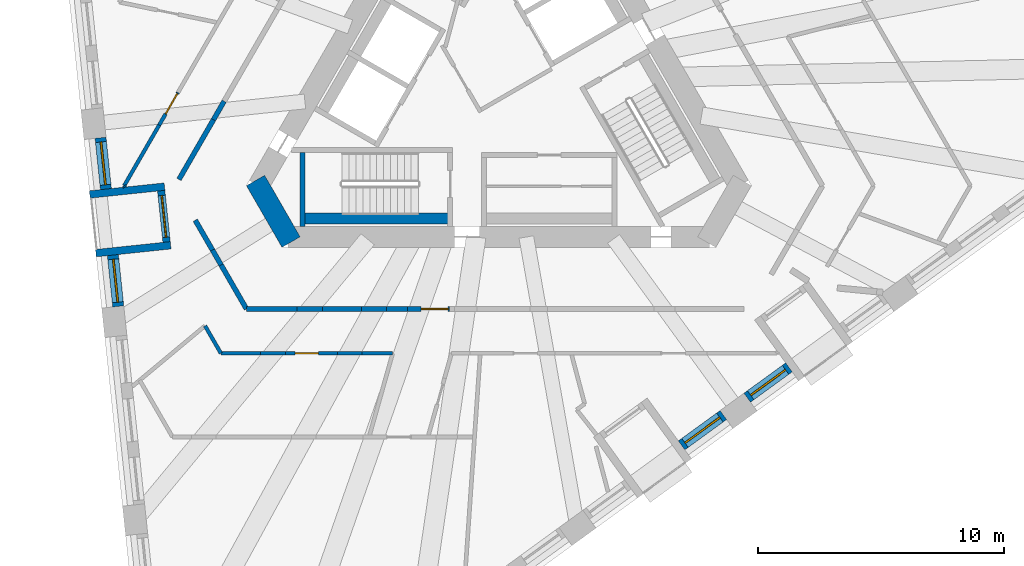
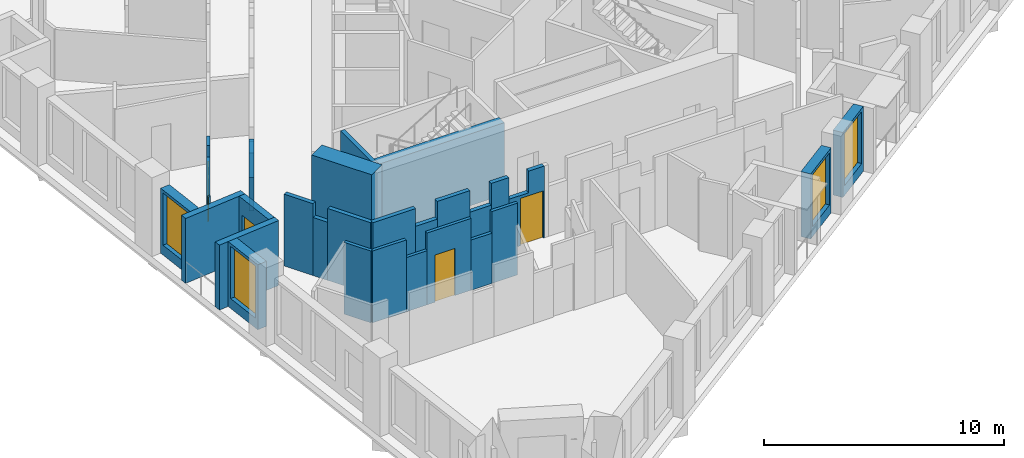
# One storey, part 3 of 14: 30 walls, 4 doors, 4 windows, 8 openings.
"""IFC4 building model written with IfcOpenShell, lengths in metres."""

from ifc_helpers import new_model, si_unit, direction, frame, frame_2d, origin, place, context, subcontext, project, spatial, polyline, rectangle, outline, extrude, material, layer, layer_set, type_object, element, fill, save


model = new_model("IFC4")

# Units and contexts
model_context = context("Model", 3, precision=1e-05, world=origin(), true_north=direction((0.0, 1.0)))
body_context = subcontext(model_context, "Body", "Model", "MODEL_VIEW")
ifc_project = project(units=[si_unit("LENGTHUNIT", "METRE"), si_unit("AREAUNIT", "SQUARE_METRE"), si_unit("VOLUMEUNIT", "CUBIC_METRE"), si_unit("PLANEANGLEUNIT", "RADIAN"), si_unit("MASSUNIT", "GRAM", prefix="KILO")], contexts=[model_context])

# Site, building, storey
site_placement = place(None, origin())
site = spatial("IfcSite", under=ifc_project, at=site_placement, CompositionType="ELEMENT")
building_placement = place(site_placement, origin())
building = spatial("IfcBuilding", under=site, at=building_placement, Name="Tramontana Tower", CompositionType="ELEMENT")
storey_placement = place(building_placement, frame((0.0, 0.0, 190.800048828125)))
storey = spatial("IfcBuildingStorey", under=building, at=storey_placement, Name="L44", CompositionType="ELEMENT", Elevation=190.800048828125)

# Wall
ifc_material_1 = material(Name="Concrete 70 MPa", Category="concrete")
ifc_layer_1 = layer(ifc_material_1, 0.85009765625)
ifc_layer_set_1 = layer_set([ifc_layer_1], Name="Core wall 850 70 MPa")
wall_type_1 = type_object("IfcWallType", Name="Core wall 850 70 MPa", PredefinedType="SHEAR", material=ifc_layer_set_1)
wall_1_placement = place(storey_placement, frame((-9.8798828125, -4.03759765625, 0.0), z_axis=(0.0, 0.0, 1.0), x_axis=(0.499995765644, -0.866027848477, 0.0)))
element("IfcWall", 1, at=wall_1_placement, inside=storey, type_object=wall_type_1, Name="Core wall C2 L44", PredefinedType="SHEAR", context=body_context, shape_type="SweptSolid", body=[
    extrude(rectangle(XDim=2.88671875, YDim=0.85009765625, at=frame_2d((1.443359375, 0.0))), origin(), (0.0, 0.0, 1.0), 4.0),
])

# Wall, opening, door
ifc_material_2 = material(Name="Blockwork", Category="masonry")
ifc_layer_2 = layer(ifc_material_2, 0.199951171875)
ifc_layer_set_2 = layer_set([ifc_layer_2], Name="ENTRY WALL 200")
wall_type_2 = type_object("IfcWallType", Name="ENTRY WALL 200", PredefinedType="SOLIDWALL", material=ifc_layer_set_2)
wall_2_placement = place(storey_placement, frame((-3.713134765625, -9.25, 0.0), z_axis=(0.0, 0.0, 1.0), x_axis=(1.0, 0.0, 0.0)))
wall_2 = element("IfcWall", 2, at=wall_2_placement, inside=storey, type_object=wall_type_2, Name="Wall v42-ew2-7", PredefinedType="SOLIDWALL", context=body_context, shape_type="SweptSolid", body=[
    extrude(outline(polyline([(0.0, 0.0), (1.7041015625, 0.0), (1.7041015625, 3.64990234375), (0.95361328125, 3.64990234375), (0.95361328125, 2.550048828125), (0.0, 2.550048828125), (0.0, 0.0)])), frame((0.0, 0.10009765625, 0.0), z_axis=(0.0, -1.0, 0.0), x_axis=(1.0, 0.0, 0.0)), (0.0, 0.0, 1.0), 0.199951171875),
])
opening_1_placement = place(wall_2_placement, frame((0.55419921875, 0.0, 0.0)))
opening_1 = element("IfcOpeningElement", 3, at=opening_1_placement, cuts=wall_2, Name="Opening B4C-20", PredefinedType="OPENING", context=body_context, shape_type="SweptSolid", body=[
    extrude(rectangle(XDim=1.10009765625, YDim=2.39990234375, at=frame_2d((0.550048828125, 1.199951171875))), frame((0.0, 0.10986328125, 0.0), z_axis=(0.0, -1.0, 0.0), x_axis=(1.0, 0.0, 0.0)), (0.0, 0.0, 1.0), 0.219970703125),
])
ifc_material_3 = material(Name="Painted timber", Category="wood")
door_type_1 = type_object("IfcDoorType", Name="DOOR ENTRY 1100", OperationType="SINGLE_SWING_LEFT", PredefinedType="DOOR", material=ifc_material_3)
door_1_placement = place(opening_1_placement, origin())
door_1 = element("IfcDoor", 4, at=door_1_placement, inside=storey, type_object=door_type_1, Name="Door B4C-20", OperationType="SINGLE_SWING_RIGHT", OverallHeight=2.39990234375, OverallWidth=1.10009765625, PredefinedType="DOOR", context=body_context, shape_type="SweptSolid", body=[
    extrude(rectangle(XDim=1.10009765625, YDim=2.39990234375, at=frame_2d((0.550048828125, 1.199951171875))), frame((0.0, 0.02490234375, 0.0), z_axis=(0.0, -1.0, 0.0), x_axis=(1.0, 0.0, 0.0)), (0.0, 0.0, 1.0), 0.050048828125),
])
fill(opening_1, door_1)

# Walls
wall_3_placement = place(storey_placement, frame((-3.713134765625, -9.25, 0.0), z_axis=(0.0, 0.0, 1.0), x_axis=(-1.0, 0.0, 0.0)))
element("IfcWall", 5, at=wall_3_placement, inside=storey, type_object=wall_type_2, Name="Wall v42-ew2-8", PredefinedType="SOLIDWALL", context=body_context, shape_type="SweptSolid", body=[
    extrude(rectangle(XDim=0.84130859375, YDim=0.199951171875, at=frame_2d((0.420654296875, 0.0))), origin(), (0.0, 0.0, 1.0), 3.64990234375),
])
wall_4_placement = place(storey_placement, frame((-4.554443359375, -9.25, 0.0), z_axis=(0.0, 0.0, 1.0), x_axis=(-1.0, 0.0, 0.0)))
element("IfcWall", 6, at=wall_4_placement, inside=storey, type_object=wall_type_2, Name="Wall v42-ew2-9", PredefinedType="SOLIDWALL", context=body_context, shape_type="SweptSolid", body=[
    extrude(rectangle(XDim=1.026123046875, YDim=0.199951171875, at=frame_2d((0.51318359375, 0.0))), origin(), (0.0, 0.0, 1.0), 2.550048828125),
])
wall_5_placement = place(storey_placement, frame((-5.58056640625, -9.25, 0.0), z_axis=(0.0, 0.0, 1.0), x_axis=(-1.0, 0.0, 0.0)))
element("IfcWall", 7, at=wall_5_placement, inside=storey, type_object=wall_type_2, Name="Wall v42-ew2-10", PredefinedType="SOLIDWALL", context=body_context, shape_type="SweptSolid", body=[
    extrude(rectangle(XDim=1.57177734375, YDim=0.199951171875, at=frame_2d((0.785888671875, 0.0))), origin(), (0.0, 0.0, 1.0), 3.64990234375),
])
wall_6_placement = place(storey_placement, frame((-7.15234375, -9.25, 0.0), z_axis=(0.0, 0.0, 1.0), x_axis=(-1.0, 0.0, 0.0)))
element("IfcWall", 8, at=wall_6_placement, inside=storey, type_object=wall_type_2, Name="Wall v42-ew2-11", PredefinedType="SOLIDWALL", context=body_context, shape_type="SweptSolid", body=[
    extrude(rectangle(XDim=1.039306640625, YDim=0.199951171875, at=frame_2d((0.51953125, 0.0))), origin(), (0.0, 0.0, 1.0), 2.75),
])
wall_7_placement = place(storey_placement, frame((-8.191650390625, -9.25, 0.0), z_axis=(0.0, 0.0, 1.0), x_axis=(-1.0, 0.0, 0.0)))
element("IfcWall", 9, at=wall_7_placement, inside=storey, type_object=wall_type_2, Name="Wall v42-ew2-12", PredefinedType="SOLIDWALL", context=body_context, shape_type="SweptSolid", body=[
    extrude(rectangle(XDim=2.056396484375, YDim=0.199951171875, at=frame_2d((1.0283203125, 0.0))), origin(), (0.0, 0.0, 1.0), 3.64990234375),
])
wall_8_placement = place(storey_placement, frame((-10.248046875, -9.25, 0.0), z_axis=(0.0, 0.0, 1.0), x_axis=(-0.499941542975, 0.866059151333, 0.0)))
element("IfcWall", 10, at=wall_8_placement, inside=storey, type_object=wall_type_2, Name="Wall v42-ew3-0", PredefinedType="SOLIDWALL", context=body_context, shape_type="SweptSolid", body=[
    extrude(rectangle(XDim=2.057861328125, YDim=0.199951171875, at=frame_2d((1.02880859375, 0.0))), origin(), (0.0, 0.0, 1.0), 3.64990234375),
])
wall_9_placement = place(storey_placement, frame((-11.27685546875, -7.4677734375, 0.0), z_axis=(0.0, 0.0, 1.0), x_axis=(-0.50022532796, 0.865895271535, 0.0)))
element("IfcWall", 11, at=wall_9_placement, inside=storey, type_object=wall_type_2, Name="Wall v42-ew3-1", PredefinedType="SOLIDWALL", context=body_context, shape_type="SweptSolid", body=[
    extrude(rectangle(XDim=0.700439453125, YDim=0.199951171875, at=frame_2d((0.35009765625, 0.0))), origin(), (0.0, 0.0, 1.0), 2.949951171875),
])
wall_10_placement = place(storey_placement, frame((-11.627197265625, -6.861328125, 0.0), z_axis=(0.0, 0.0, 1.0), x_axis=(-0.49998411664, 0.866034573852, 0.0)))
element("IfcWall", 12, at=wall_10_placement, inside=storey, type_object=wall_type_2, Name="Wall v42-ew3-2", PredefinedType="SOLIDWALL", context=body_context, shape_type="SweptSolid", body=[
    extrude(rectangle(XDim=1.39990234375, YDim=0.199951171875, at=frame_2d((0.699951171875, 0.0))), origin(), (0.0, 0.0, 1.0), 3.64990234375),
])
wall_11_placement = place(storey_placement, frame((-12.986572265625, -3.993408203125, 0.0), z_axis=(0.0, 0.0, 1.0), x_axis=(0.499976698542, 0.86603885647, 0.0)))
element("IfcWall", 13, at=wall_11_placement, inside=storey, type_object=wall_type_2, Name="Wall v42-ew4-0", PredefinedType="SOLIDWALL", context=body_context, shape_type="SweptSolid", body=[
    extrude(rectangle(XDim=2.798583984375, YDim=0.199951171875, at=frame_2d((1.3994140625, 0.0))), origin(), (0.0, 0.0, 1.0), 3.64990234375),
])
wall_12_placement = place(storey_placement, frame((-11.58740234375, -1.56982421875, 0.0), z_axis=(0.0, 0.0, 1.0), x_axis=(0.500023708017, 0.866011715522, 0.0)))
element("IfcWall", 14, at=wall_12_placement, inside=storey, type_object=wall_type_2, Name="Wall v42-ew4-1", PredefinedType="SOLIDWALL", context=body_context, shape_type="SweptSolid", body=[
    extrude(rectangle(XDim=0.865234375, YDim=0.199951171875, at=frame_2d((0.4326171875, 0.0))), origin(), (0.0, 0.0, 1.0), 2.949951171875),
])

# Wall, opening, window
ifc_material_4 = material(Name="Precast concrete 60 MPa", Category="concrete")
ifc_layer_3 = layer(ifc_material_4, 0.449951171875)
ifc_layer_set_3 = layer_set([ifc_layer_3], Name="Precast concrete 60 MPa, 450 mm")
wall_type_3 = type_object("IfcWallType", Name="EW1 Stone-faced precast wall 450", PredefinedType="SOLIDWALL", material=ifc_layer_set_3)
wall_13_placement = place(storey_placement, frame((-16.1728515625, -2.30322265625, 0.0), z_axis=(0.0, 0.0, 1.0), x_axis=(0.104569484464, -0.994517583011, 0.0)))
wall_13 = element("IfcWall", 15, at=wall_13_placement, inside=storey, type_object=wall_type_3, Name="External wall L44 face 0 bay 4", PredefinedType="SOLIDWALL", context=body_context, shape_type="SweptSolid", body=[
    extrude(rectangle(XDim=2.09423828125, YDim=0.449951171875, at=frame_2d((1.047119140625, 0.0))), origin(), (0.0, 0.0, 1.0), 3.300048828125),
])
opening_2_placement = place(wall_13_placement, frame((0.172119140625, 0.0, 0.5)))
opening_2 = element("IfcOpeningElement", 16, at=opening_2_placement, cuts=wall_13, Name="Opening M2", PredefinedType="OPENING", context=body_context, shape_type="SweptSolid", body=[
    extrude(rectangle(XDim=1.75, YDim=2.64990234375, at=frame_2d((0.875, 1.324951171875))), frame((0.0, 0.23486328125, 0.0), z_axis=(0.0, -1.0, 0.0), x_axis=(1.0, 0.0, 0.0)), (0.0, 0.0, 1.0), 0.469970703125),
])
ifc_material_5 = material(Name="Aluminum frame, double glazing unit", Category="aluminium")
window_type = type_object("IfcWindowType", Name="M2 Window 1.75 x 2.65", PartitioningType="SINGLE_PANEL", PredefinedType="WINDOW", material=ifc_material_5)
window_1_placement = place(opening_2_placement, origin())
window_1 = element("IfcWindow", 17, at=window_1_placement, inside=storey, type_object=window_type, Name="Window M2 L44 face 0 module 10", OverallHeight=2.64990234375, OverallWidth=1.75, PartitioningType="SINGLE_PANEL", PredefinedType="WINDOW", context=body_context, shape_type="SweptSolid", body=[
    extrude(rectangle(XDim=1.75, YDim=2.64990234375, at=frame_2d((0.875, 1.324951171875))), frame((0.0, 0.030029296875, 0.0), z_axis=(0.0, -1.0, 0.0), x_axis=(1.0, 0.0, 0.0)), (0.0, 0.0, 1.0), 0.06005859375),
])
fill(opening_2, window_1)

wall_14_placement = place(storey_placement, frame((-15.67236328125, -7.0654296875, 0.0), z_axis=(0.0, 0.0, 1.0), x_axis=(0.104557362307, -0.994518857532, 0.0)))
wall_14 = element("IfcWall", 18, at=wall_14_placement, inside=storey, type_object=wall_type_3, Name="External wall L44 face 0 bay 4", PredefinedType="SOLIDWALL", context=body_context, shape_type="SweptSolid", body=[
    extrude(rectangle(XDim=2.094482421875, YDim=0.449951171875, at=frame_2d((1.04736328125, 0.0))), origin(), (0.0, 0.0, 1.0), 3.300048828125),
])
opening_3_placement = place(wall_14_placement, frame((0.172119140625, 0.0, 0.5)))
opening_3 = element("IfcOpeningElement", 19, at=opening_3_placement, cuts=wall_14, Name="Opening M2", PredefinedType="OPENING", context=body_context, shape_type="SweptSolid", body=[
    extrude(rectangle(XDim=1.75, YDim=2.64990234375, at=frame_2d((0.875, 1.324951171875))), frame((0.0, 0.23486328125, 0.0), z_axis=(0.0, -1.0, 0.0), x_axis=(1.0, 0.0, 0.0)), (0.0, 0.0, 1.0), 0.469970703125),
])
window_2_placement = place(opening_3_placement, origin())
window_2 = element("IfcWindow", 20, at=window_2_placement, inside=storey, type_object=window_type, Name="Window M2 L44 face 0 module 12", OverallHeight=2.64990234375, OverallWidth=1.75, PartitioningType="SINGLE_PANEL", PredefinedType="WINDOW", context=body_context, shape_type="SweptSolid", body=[
    extrude(rectangle(XDim=1.75, YDim=2.64990234375, at=frame_2d((0.875, 1.324951171875))), frame((0.0, 0.030029296875, 0.0), z_axis=(0.0, -1.0, 0.0), x_axis=(1.0, 0.0, 0.0)), (0.0, 0.0, 1.0), 0.06005859375),
])
fill(opening_3, window_2)

wall_15_placement = place(storey_placement, frame((7.415771484375, -14.790771484375, 0.0), z_axis=(0.0, 0.0, 1.0), x_axis=(0.809028366311, 0.587769599847, 0.0)))
wall_15 = element("IfcWall", 21, at=wall_15_placement, inside=storey, type_object=wall_type_3, Name="External wall L44 face 1 bay 3", PredefinedType="SOLIDWALL", context=body_context, shape_type="SweptSolid", body=[
    extrude(rectangle(XDim=2.09423828125, YDim=0.449951171875, at=frame_2d((1.047119140625, 0.0))), origin(), (0.0, 0.0, 1.0), 3.300048828125),
])
opening_4_placement = place(wall_15_placement, frame((0.172119140625, 0.0, 0.5)))
opening_4 = element("IfcOpeningElement", 22, at=opening_4_placement, cuts=wall_15, Name="Opening M2", PredefinedType="OPENING", context=body_context, shape_type="SweptSolid", body=[
    extrude(rectangle(XDim=1.75, YDim=2.64990234375, at=frame_2d((0.875, 1.324951171875))), frame((0.0, 0.23486328125, 0.0), z_axis=(0.0, -1.0, 0.0), x_axis=(1.0, 0.0, 0.0)), (0.0, 0.0, 1.0), 0.469970703125),
])
window_3_placement = place(opening_4_placement, origin())
window_3 = element("IfcWindow", 23, at=window_3_placement, inside=storey, type_object=window_type, Name="Window M2 L44 face 1 module 9", OverallHeight=2.64990234375, OverallWidth=1.75, PartitioningType="SINGLE_PANEL", PredefinedType="WINDOW", context=body_context, shape_type="SweptSolid", body=[
    extrude(rectangle(XDim=1.75, YDim=2.64990234375, at=frame_2d((0.875, 1.324951171875))), frame((0.0, 0.030029296875, 0.0), z_axis=(0.0, -1.0, 0.0), x_axis=(1.0, 0.0, 0.0)), (0.0, 0.0, 1.0), 0.06005859375),
])
fill(opening_4, window_3)

wall_16_placement = place(storey_placement, frame((10.0810546875, -12.8544921875, 0.0), z_axis=(0.0, 0.0, 1.0), x_axis=(0.809028366311, 0.587769599847, 0.0)))
wall_16 = element("IfcWall", 24, at=wall_16_placement, inside=storey, type_object=wall_type_3, Name="External wall L44 face 1 bay 4", PredefinedType="SOLIDWALL", context=body_context, shape_type="SweptSolid", body=[
    extrude(rectangle(XDim=2.09423828125, YDim=0.449951171875, at=frame_2d((1.047119140625, 0.0))), origin(), (0.0, 0.0, 1.0), 3.300048828125),
])
opening_5_placement = place(wall_16_placement, frame((0.172119140625, 0.0, 0.5)))
opening_5 = element("IfcOpeningElement", 25, at=opening_5_placement, cuts=wall_16, Name="Opening M2", PredefinedType="OPENING", context=body_context, shape_type="SweptSolid", body=[
    extrude(rectangle(XDim=1.75, YDim=2.64990234375, at=frame_2d((0.875, 1.324951171875))), frame((0.0, 0.23486328125, 0.0), z_axis=(0.0, -1.0, 0.0), x_axis=(1.0, 0.0, 0.0)), (0.0, 0.0, 1.0), 0.469970703125),
])
window_4_placement = place(opening_5_placement, origin())
window_4 = element("IfcWindow", 26, at=window_4_placement, inside=storey, type_object=window_type, Name="Window M2 L44 face 1 module 10", OverallHeight=2.64990234375, OverallWidth=1.75, PartitioningType="SINGLE_PANEL", PredefinedType="WINDOW", context=body_context, shape_type="SweptSolid", body=[
    extrude(rectangle(XDim=1.75, YDim=2.64990234375, at=frame_2d((0.875, 1.324951171875))), frame((0.0, 0.030029296875, 0.0), z_axis=(0.0, -1.0, 0.0), x_axis=(1.0, 0.0, 0.0)), (0.0, 0.0, 1.0), 0.06005859375),
])
fill(opening_5, window_4)

# Wall, opening, door
ifc_material_6 = material(Name="Precast concrete 60 MPa", Category="concrete")
ifc_layer_4 = layer(ifc_material_6, 0.300048828125)
ifc_layer_set_4 = layer_set([ifc_layer_4], Name="LW1 Stone-faced loggia wall 300")
wall_type_4 = type_object("IfcWallType", Name="LW1 Stone-faced loggia wall 300", PredefinedType="SOLIDWALL", material=ifc_layer_set_4)
wall_17_placement = place(storey_placement, frame((-13.709716796875, -4.45166015625, 0.0), z_axis=(0.0, 0.0, 1.0), x_axis=(0.104442071108, -0.994530971756, 0.0)))
wall_17 = element("IfcWall", 27, at=wall_17_placement, inside=storey, type_object=wall_type_4, Name="Loggia wall L44 G4S0.10", PredefinedType="SOLIDWALL", context=body_context, shape_type="SweptSolid", body=[
    extrude(rectangle(XDim=2.094482421875, YDim=0.300048828125, at=frame_2d((1.04736328125, 0.0))), origin(), (0.0, 0.0, 1.0), 3.300048828125),
])
opening_6_placement = place(wall_17_placement, frame((0.197265625, 0.0, 0.0)))
opening_6 = element("IfcOpeningElement", 28, at=opening_6_placement, cuts=wall_17, Name="Opening BD-4S0-10", PredefinedType="OPENING", context=body_context, shape_type="SweptSolid", body=[
    extrude(rectangle(XDim=1.699951171875, YDim=2.449951171875, at=frame_2d((0.85009765625, 1.22509765625))), frame((0.0, 0.159912109375, 0.0), z_axis=(0.0, -1.0, 0.0), x_axis=(1.0, 0.0, 0.0)), (0.0, 0.0, 1.0), 0.320068359375),
])
ifc_material_7 = material(Name="Aluminum frame, double glazing unit", Category="aluminium")
door_type_2 = type_object("IfcDoorType", Name="BD2 Sliding door 1.7 x 2.45", OperationType="SLIDING_TO_LEFT", PredefinedType="DOOR", material=ifc_material_7)
door_2_placement = place(opening_6_placement, origin())
door_2 = element("IfcDoor", 29, at=door_2_placement, inside=storey, type_object=door_type_2, Name="Loggia door L44 G4S0.10", OperationType="SLIDING_TO_LEFT", OverallHeight=2.449951171875, OverallWidth=1.699951171875, PredefinedType="DOOR", context=body_context, shape_type="SweptSolid", body=[
    extrude(rectangle(XDim=1.699951171875, YDim=2.449951171875, at=frame_2d((0.85009765625, 1.22509765625))), frame((0.0, 0.02490234375, 0.0), z_axis=(0.0, -1.0, 0.0), x_axis=(1.0, 0.0, 0.0)), (0.0, 0.0, 1.0), 0.050048828125),
])
fill(opening_6, door_2)

# Walls
for number, where, z_axis, x_axis, name in (
    (30, (-16.609619140625, -4.605712890625, 0.0), (0.0, 0.0, 1.0), (0.994521230707, 0.104534786906, 0.0), "Loggia return L44 G4S0.10a"),
    (31, (-16.359375, -6.98681640625, 0.0), (0.0, 0.0, 1.0), (0.994521230707, 0.104534786906, 0.0), "Loggia return L44 G4S0.10b"),
):
    element("IfcWall", number, at=place(storey_placement, frame(where, z_axis=z_axis, x_axis=x_axis)), inside=storey, type_object=wall_type_4, Name=name, PredefinedType="SOLIDWALL", context=body_context, shape_type="SweptSolid", body=[
        extrude(rectangle(XDim=3.050048828125, YDim=0.300048828125, at=frame_2d((1.52490234375, 0.0))), origin(), (0.0, 0.0, 1.0), 3.300048828125),
    ])
ifc_material_8 = material(Name="Gypsum board partition")
ifc_layer_5 = layer(ifc_material_8, 0.14990234375)
ifc_layer_set_5 = layer_set([ifc_layer_5], Name="PARTITION 150")
wall_type_5 = type_object("IfcWallType", Name="PARTITION 150", PredefinedType="PARTITIONING", material=ifc_layer_set_5)
wall_18_placement = place(storey_placement, frame((-15.213134765625, -4.25, 0.0), z_axis=(0.0, 0.0, 1.0), x_axis=(0.50001992892, 0.866013897511, 0.0)))
element("IfcWall", 32, at=wall_18_placement, inside=storey, type_object=wall_type_5, Name="Wall v42-pw02-0", PredefinedType="PARTITIONING", context=body_context, shape_type="SweptSolid", body=[
    extrude(rectangle(XDim=2.841796875, YDim=0.14990234375, at=frame_2d((1.4208984375, 0.0))), origin(), (0.0, 0.0, 1.0), 3.64990234375),
])

# Wall, opening, door
wall_19_placement = place(storey_placement, frame((-13.792236328125, -1.7890625, 0.0), z_axis=(0.0, 0.0, 1.0), x_axis=(0.499925626596, 0.866068339032, 0.0)))
wall_19 = element("IfcWall", 33, at=wall_19_placement, inside=storey, type_object=wall_type_5, Name="Wall v42-pw02-1", PredefinedType="PARTITIONING", context=body_context, shape_type="SweptSolid", body=[
    extrude(outline(polyline([(0.0, 0.0), (1.525634765625, 0.0), (1.525634765625, 3.64990234375), (0.834228515625, 3.64990234375), (0.834228515625, 2.949951171875), (0.0, 2.949951171875), (0.0, 0.0)])), frame((0.0, 0.074951171875, 0.0), z_axis=(0.0, -1.0, 0.0), x_axis=(1.0, 0.0, 0.0)), (0.0, 0.0, 1.0), 0.14990234375),
])
opening_7_placement = place(wall_19_placement, frame((0.525634765625, 0.0, 0.0)))
opening_7 = element("IfcOpeningElement", 34, at=opening_7_placement, cuts=wall_19, Name="Opening B4C-08", PredefinedType="OPENING", context=body_context, shape_type="SweptSolid", body=[
    extrude(rectangle(XDim=0.949951171875, YDim=2.39990234375, at=frame_2d((0.47509765625, 1.199951171875))), frame((0.0, 0.0849609375, 0.0), z_axis=(0.0, -1.0, 0.0), x_axis=(1.0, 0.0, 0.0)), (0.0, 0.0, 1.0), 0.169921875),
])
ifc_material_9 = material(Name="Painted timber", Category="wood")
door_type_3 = type_object("IfcDoorType", Name="DOOR ROOM 950", OperationType="SINGLE_SWING_LEFT", PredefinedType="DOOR", material=ifc_material_9)
door_3_placement = place(opening_7_placement, origin())
door_3 = element("IfcDoor", 35, at=door_3_placement, inside=storey, type_object=door_type_3, Name="Door B4C-08", OperationType="SINGLE_SWING_RIGHT", OverallHeight=2.39990234375, OverallWidth=0.949951171875, PredefinedType="DOOR", context=body_context, shape_type="SweptSolid", body=[
    extrude(rectangle(XDim=0.949951171875, YDim=2.39990234375, at=frame_2d((0.47509765625, 1.199951171875))), frame((0.0, 0.02490234375, 0.0), z_axis=(0.0, -1.0, 0.0), x_axis=(1.0, 0.0, 0.0)), (0.0, 0.0, 1.0), 0.050048828125),
])
fill(opening_7, door_3)

# Walls
wall_20_placement = place(storey_placement, frame((-15.181640625, -4.3046875, 0.0), z_axis=(0.0, 0.0, 1.0), x_axis=(-0.499052486836, 0.866571760088, 0.0)))
element("IfcWall", 36, at=wall_20_placement, inside=storey, type_object=wall_type_5, Name="Wall v42-pw03", PredefinedType="PARTITIONING", context=body_context, shape_type="SweptSolid", body=[
    extrude(rectangle(XDim=0.06298828125, YDim=0.14990234375, at=frame_2d((0.031494140625, 0.0))), origin(), (0.0, 0.0, 1.0), 3.64990234375),
])
wall_21_placement = place(storey_placement, frame((-11.287353515625, -11.0498046875, 0.0), z_axis=(0.0, 0.0, 1.0), x_axis=(-0.49996976238, 0.866042860778, 0.0)))
element("IfcWall", 37, at=wall_21_placement, inside=storey, type_object=wall_type_5, Name="Wall v42-pw10", PredefinedType="PARTITIONING", context=body_context, shape_type="SweptSolid", body=[
    extrude(rectangle(XDim=1.28173828125, YDim=0.14990234375, at=frame_2d((0.640869140625, 0.0))), origin(), (0.0, 0.0, 1.0), 3.64990234375),
])
wall_22_placement = place(storey_placement, frame((-4.3154296875, -11.050048828125, 0.0), z_axis=(0.0, 0.0, 1.0), x_axis=(-1.0, 0.0, 0.0)))
element("IfcWall", 38, at=wall_22_placement, inside=storey, type_object=wall_type_5, Name="Wall v42-pw16-0", PredefinedType="PARTITIONING", context=body_context, shape_type="SweptSolid", body=[
    extrude(rectangle(XDim=1.2392578125, YDim=0.14990234375, at=frame_2d((0.61962890625, 0.0))), origin(), (0.0, 0.0, 1.0), 3.64990234375),
])
wall_23_placement = place(storey_placement, frame((-5.5546875, -11.050048828125, 0.0), z_axis=(0.0, 0.0, 1.0), x_axis=(-1.0, 0.0, 0.0)))
element("IfcWall", 39, at=wall_23_placement, inside=storey, type_object=wall_type_5, Name="Wall v42-pw16-1", PredefinedType="PARTITIONING", context=body_context, shape_type="SweptSolid", body=[
    extrude(rectangle(XDim=0.997802734375, YDim=0.14990234375, at=frame_2d((0.4990234375, 0.0))), origin(), (0.0, 0.0, 1.0), 2.550048828125),
])

# Wall, opening, door
wall_24_placement = place(storey_placement, frame((-6.552490234375, -11.050048828125, 0.0), z_axis=(0.0, 0.0, 1.0), x_axis=(-1.0, 0.0, 0.0)))
wall_24 = element("IfcWall", 40, at=wall_24_placement, inside=storey, type_object=wall_type_5, Name="Wall v42-pw16-2", PredefinedType="PARTITIONING", context=body_context, shape_type="SweptSolid", body=[
    extrude(rectangle(XDim=2.109130859375, YDim=0.14990234375, at=frame_2d((1.0546875, 0.0))), origin(), (0.0, 0.0, 1.0), 3.64990234375),
])
opening_8_placement = place(wall_24_placement, frame((0.77392578125, 0.0, 0.0)))
opening_8 = element("IfcOpeningElement", 41, at=opening_8_placement, cuts=wall_24, Name="Opening B4C-05", PredefinedType="OPENING", context=body_context, shape_type="SweptSolid", body=[
    extrude(rectangle(XDim=0.949951171875, YDim=2.39990234375, at=frame_2d((0.47509765625, 1.199951171875))), frame((0.0, 0.0849609375, 0.0), z_axis=(0.0, -1.0, 0.0), x_axis=(1.0, 0.0, 0.0)), (0.0, 0.0, 1.0), 0.169921875),
])
door_4_placement = place(opening_8_placement, origin())
door_4 = element("IfcDoor", 42, at=door_4_placement, inside=storey, type_object=door_type_3, Name="Door B4C-05", OperationType="SINGLE_SWING_LEFT", OverallHeight=2.39990234375, OverallWidth=0.949951171875, PredefinedType="DOOR", context=body_context, shape_type="SweptSolid", body=[
    extrude(rectangle(XDim=0.949951171875, YDim=2.39990234375, at=frame_2d((0.47509765625, 1.199951171875))), frame((0.0, 0.02490234375, 0.0), z_axis=(0.0, -1.0, 0.0), x_axis=(1.0, 0.0, 0.0)), (0.0, 0.0, 1.0), 0.050048828125),
])
fill(opening_8, door_4)

# Walls
wall_25_placement = place(storey_placement, frame((-8.66162109375, -11.050048828125, 0.0), z_axis=(0.0, 0.0, 1.0), x_axis=(-1.0, 0.0, 0.0)))
element("IfcWall", 43, at=wall_25_placement, inside=storey, type_object=wall_type_5, Name="Wall v42-pw16-3", PredefinedType="PARTITIONING", context=body_context, shape_type="SweptSolid", body=[
    extrude(rectangle(XDim=1.0068359375, YDim=0.14990234375, at=frame_2d((0.50341796875, 0.0))), origin(), (0.0, 0.0, 1.0), 2.75),
])
wall_26_placement = place(storey_placement, frame((-9.66845703125, -11.050048828125, 0.0), z_axis=(0.0, 0.0, 1.0), x_axis=(-1.0, 0.0, 0.0)))
element("IfcWall", 44, at=wall_26_placement, inside=storey, type_object=wall_type_5, Name="Wall v42-pw16-4", PredefinedType="PARTITIONING", context=body_context, shape_type="SweptSolid", body=[
    extrude(rectangle(XDim=1.61865234375, YDim=0.14990234375, at=frame_2d((0.809326171875, 0.0))), origin(), (0.0, 0.0, 1.0), 3.64990234375),
])
ifc_material_10 = material(Name="Concrete 70 MPa", Category="concrete")
ifc_layer_6 = layer(ifc_material_10, 0.449951171875)
ifc_layer_set_6 = layer_set([ifc_layer_6], Name="Concrete 70 MPa, 450 mm")
wall_type_6 = type_object("IfcWallType", Name="RC SHAFT BACK WALL 450", PredefinedType="SOLIDWALL", material=ifc_layer_set_6)
wall_27_placement = place(storey_placement, frame((-8.080078125, -5.574951171875, 0.0), z_axis=(0.0, 0.0, 1.0), x_axis=(1.0, 0.0, 0.0)))
element("IfcWall", 45, at=wall_27_placement, inside=storey, type_object=wall_type_6, Name="Wall st2-back", PredefinedType="SOLIDWALL", context=body_context, shape_type="SweptSolid", body=[
    extrude(rectangle(XDim=6.2001953125, YDim=0.449951171875, at=frame_2d((3.10009765625, 0.0))), origin(), (0.0, 0.0, 1.0), 3.64990234375),
])
ifc_material_11 = material(Name="Concrete 70 MPa", Category="concrete")
ifc_layer_7 = layer(ifc_material_11, 0.199951171875)
ifc_layer_set_7 = layer_set([ifc_layer_7], Name="Concrete 70 MPa, 200 mm")
wall_type_7 = type_object("IfcWallType", Name="RC STAIR AND SHAFT WALL 200", PredefinedType="SOLIDWALL", material=ifc_layer_set_7)
wall_28_placement = place(storey_placement, frame((-7.97998046875, -2.89990234375, 0.0), z_axis=(0.0, 0.0, 1.0), x_axis=(0.0, -1.0, 0.0)))
element("IfcWall", 46, at=wall_28_placement, inside=storey, type_object=wall_type_7, Name="Wall st2-far", PredefinedType="SOLIDWALL", context=body_context, shape_type="SweptSolid", body=[
    extrude(rectangle(XDim=3.0, YDim=0.199951171875, at=frame_2d((1.5, 0.0))), origin(), (0.0, 0.0, 1.0), 3.64990234375),
])

save(model, "model.ifc")
